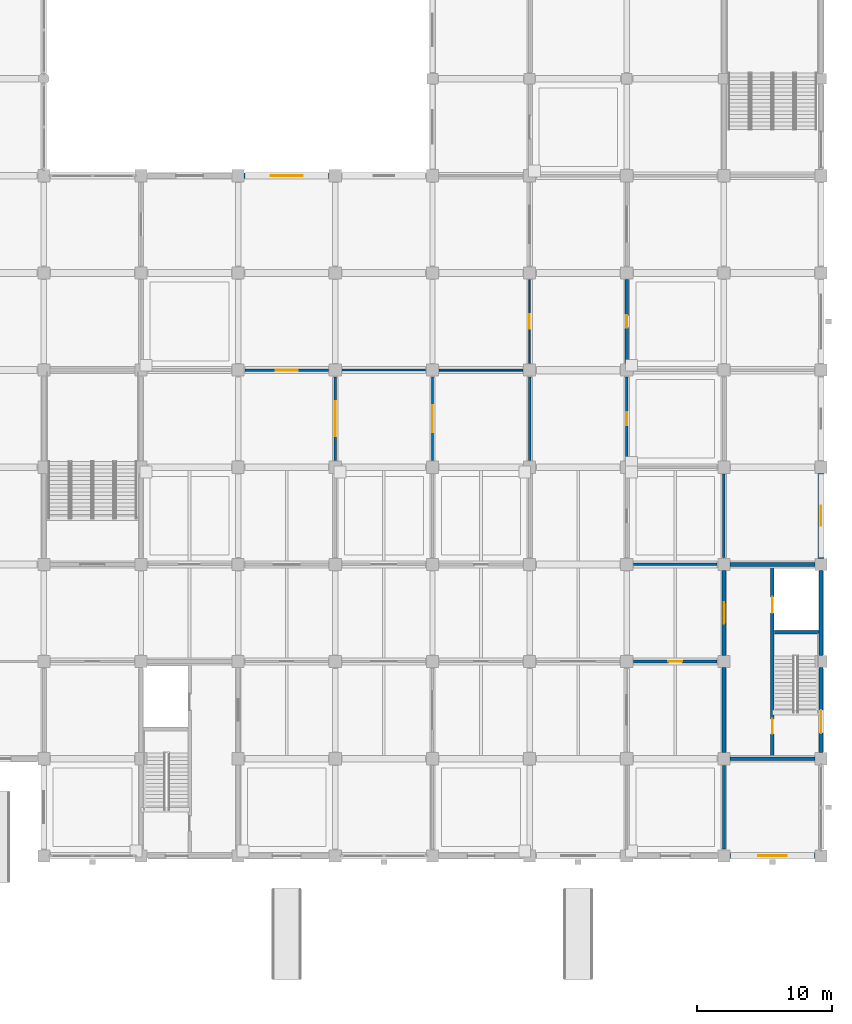
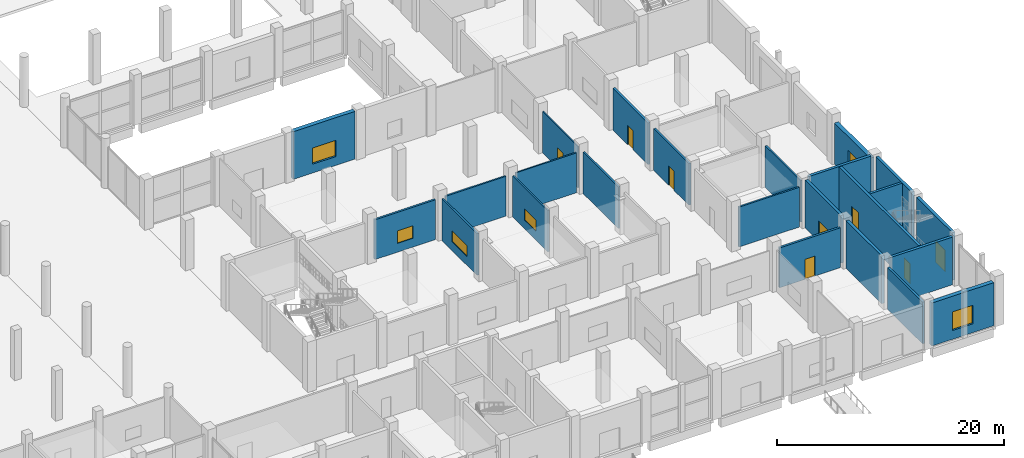
# One storey, part 51 of 70: 24 walls, 8 doors, 6 windows, 14 openings.
"""IFC4 building model written with IfcOpenShell, lengths in metres."""

from ifc_helpers import new_model, si_unit, direction, frame, frame_2d, origin, place, context, subcontext, project, spatial, rectangle, extrude, material, layer, layer_set, type_object, element, fill, save


model = new_model("IFC4")

# Units and contexts
model_context = context("Model", 3, precision=1e-05, world=origin(), true_north=direction((0.0, 1.0)))
body_context = subcontext(model_context, "Body", "Model", "MODEL_VIEW")
ifc_project = project(units=[si_unit("LENGTHUNIT", "METRE"), si_unit("AREAUNIT", "SQUARE_METRE"), si_unit("VOLUMEUNIT", "CUBIC_METRE"), si_unit("PLANEANGLEUNIT", "RADIAN"), si_unit("MASSUNIT", "GRAM", prefix="KILO")], contexts=[model_context])

# Site, building, storey
site_placement = place(None, origin())
site = spatial("IfcSite", under=ifc_project, at=site_placement, CompositionType="ELEMENT")
building_placement = place(site_placement, origin())
building = spatial("IfcBuilding", under=site, at=building_placement, Name="Vesperath Aquatics Centre", CompositionType="ELEMENT")
storey_placement = place(building_placement, origin())
storey = spatial("IfcBuildingStorey", under=building, at=storey_placement, Name="L00", CompositionType="ELEMENT", Elevation=0.0)

# Wall, opening, window
ifc_material_1 = material(Name="Liaoning grey granite ashlar insulated cavity wall", Category="masonry")
ifc_layer_1 = layer(ifc_material_1, 0.419921875)
ifc_layer_set_1 = layer_set([ifc_layer_1], Name="Liaoning grey granite ashlar insulated cavity wall")
wall_type_1 = type_object("IfcWallType", Name="WL-EW01", PredefinedType="SOLIDWALL", material=ifc_layer_set_1)
wall_1_placement = place(storey_placement, frame((166.050048828125, 0.0, 0.0), z_axis=(0.0, 0.0, 1.0), x_axis=(1.0, 0.0, 0.0)))
wall_1 = element("IfcWall", 1, at=wall_1_placement, inside=storey, type_object=wall_type_1, Name="Exterior Wall EW01 L00_S_23_00", PredefinedType="SOLIDWALL", context=body_context, shape_type="SweptSolid", body=[
    extrude(rectangle(XDim=6.300048828125, YDim=0.419921875, at=frame_2d((3.14990234375, 0.0))), origin(), (0.0, 0.0, 1.0), 4.639892578125),
])
opening_1_placement = place(wall_1_placement, frame((2.10009765625, 0.0, 0.949951171875)))
opening_1 = element("IfcOpeningElement", 2, at=opening_1_placement, cuts=wall_1, Name="Opening W06", PredefinedType="OPENING", context=body_context, shape_type="SweptSolid", body=[
    extrude(rectangle(XDim=2.10009765625, YDim=2.0, at=frame_2d((1.050048828125, 1.0))), frame((0.0, 0.224853515625, 0.0), z_axis=(0.0, -1.0, 0.0), x_axis=(1.0, 0.0, 0.0)), (0.0, 0.0, 1.0), 0.44970703125),
])
ifc_material_2 = material(Name="Thermally broken aluminium triple-glazed window", Category="aluminium")
window_type_1 = type_object("IfcWindowType", Name="WN-W06", PartitioningType="SINGLE_PANEL", PredefinedType="WINDOW", material=ifc_material_2)
window_1_placement = place(opening_1_placement, origin())
window_1 = element("IfcWindow", 3, at=window_1_placement, inside=storey, type_object=window_type_1, Name="Deep-Reveal Casement Window W06 L00_S_23_00", OverallHeight=2.0, OverallWidth=2.10009765625, PartitioningType="SINGLE_PANEL", PredefinedType="WINDOW", context=body_context, shape_type="SweptSolid", body=[
    extrude(rectangle(XDim=2.10009765625, YDim=2.0, at=frame_2d((1.050048828125, 1.0))), frame((0.0, 0.030029296875, 0.0), z_axis=(0.0, -1.0, 0.0), x_axis=(1.0, 0.0, 0.0)), (0.0, 0.0, 1.0), 0.06005859375),
])
fill(opening_1, window_1)

wall_2_placement = place(storey_placement, frame((130.050048828125, 50.39990234375, 0.0), z_axis=(0.0, 0.0, 1.0), x_axis=(1.0, 0.0, 0.0)))
wall_2 = element("IfcWall", 4, at=wall_2_placement, inside=storey, type_object=wall_type_1, Name="Exterior Wall EW01 L00_N_18_07", PredefinedType="SOLIDWALL", context=body_context, shape_type="SweptSolid", body=[
    extrude(rectangle(XDim=6.300048828125, YDim=0.419921875, at=frame_2d((3.14990234375, 0.0))), origin(), (0.0, 0.0, 1.0), 5.139892578125),
])
opening_2_placement = place(wall_2_placement, frame((1.949951171875, 0.0, 0.949951171875)))
opening_2 = element("IfcOpeningElement", 5, at=opening_2_placement, cuts=wall_2, Name="Opening W10", PredefinedType="OPENING", context=body_context, shape_type="SweptSolid", body=[
    extrude(rectangle(XDim=2.39990234375, YDim=1.75, at=frame_2d((1.199951171875, 0.875))), frame((0.0, 0.224853515625, 0.0), z_axis=(0.0, -1.0, 0.0), x_axis=(1.0, 0.0, 0.0)), (0.0, 0.0, 1.0), 0.44970703125),
])
window_type_2 = type_object("IfcWindowType", Name="WN-W10", PartitioningType="SINGLE_PANEL", PredefinedType="WINDOW", material=ifc_material_2)
window_2_placement = place(opening_2_placement, origin())
window_2 = element("IfcWindow", 6, at=window_2_placement, inside=storey, type_object=window_type_2, Name="Deep-Reveal Casement Window W10 L00_N_18_07", OverallHeight=1.75, OverallWidth=2.39990234375, PartitioningType="SINGLE_PANEL", PredefinedType="WINDOW", context=body_context, shape_type="SweptSolid", body=[
    extrude(rectangle(XDim=2.39990234375, YDim=1.75, at=frame_2d((1.199951171875, 0.875))), frame((0.0, 0.030029296875, 0.0), z_axis=(0.0, -1.0, 0.0), x_axis=(1.0, 0.0, 0.0)), (0.0, 0.0, 1.0), 0.06005859375),
])
fill(opening_2, window_2)

wall_3_placement = place(storey_placement, frame((172.800048828125, 22.050048828125, 0.0), z_axis=(0.0, 0.0, 1.0), x_axis=(0.0, 1.0, 0.0)))
wall_3 = element("IfcWall", 7, at=wall_3_placement, inside=storey, type_object=wall_type_1, Name="Exterior Wall EW01 L00_E_24_03", PredefinedType="SOLIDWALL", context=body_context, shape_type="SweptSolid", body=[
    extrude(rectangle(XDim=6.300048828125, YDim=0.419921875, at=frame_2d((3.14990234375, 0.0))), origin(), (0.0, 0.0, 1.0), 4.43994140625),
])
opening_3_placement = place(wall_3_placement, frame((2.39990234375, 0.0, 0.949951171875)))
opening_3 = element("IfcOpeningElement", 8, at=opening_3_placement, cuts=wall_3, Name="Opening W08", PredefinedType="OPENING", context=body_context, shape_type="SweptSolid", body=[
    extrude(rectangle(XDim=1.5, YDim=2.0, at=frame_2d((0.75, 1.0))), frame((0.0, 0.224853515625, 0.0), z_axis=(0.0, -1.0, 0.0), x_axis=(1.0, 0.0, 0.0)), (0.0, 0.0, 1.0), 0.44970703125),
])
window_type_3 = type_object("IfcWindowType", Name="WN-W08", PartitioningType="SINGLE_PANEL", PredefinedType="WINDOW", material=ifc_material_2)
window_3_placement = place(opening_3_placement, origin())
window_3 = element("IfcWindow", 9, at=window_3_placement, inside=storey, type_object=window_type_3, Name="Deep-Reveal Casement Window W08 L00_E_24_03", OverallHeight=2.0, OverallWidth=1.5, PartitioningType="SINGLE_PANEL", PredefinedType="WINDOW", context=body_context, shape_type="SweptSolid", body=[
    extrude(rectangle(XDim=1.5, YDim=2.0, at=frame_2d((0.75, 1.0))), frame((0.0, 0.030029296875, 0.0), z_axis=(0.0, -1.0, 0.0), x_axis=(1.0, 0.0, 0.0)), (0.0, 0.0, 1.0), 0.06005859375),
])
fill(opening_3, window_3)

# Wall, opening, door
ifc_material_3 = material(Name="Autoclaved aerated masonry blockwork", Category="masonry")
ifc_layer_2 = layer(ifc_material_3, 0.22998046875)
ifc_layer_set_2 = layer_set([ifc_layer_2], Name="Autoclaved aerated masonry blockwork")
wall_type_2 = type_object("IfcWallType", Name="WL-FW01", PredefinedType="SOLIDWALL", material=ifc_layer_set_2)
wall_4_placement = place(storey_placement, frame((158.39990234375, 36.5, 0.0), z_axis=(0.0, 0.0, 1.0), x_axis=(0.0, 1.0, 0.0)))
wall_4 = element("IfcWall", 10, at=wall_4_placement, inside=storey, type_object=wall_type_2, Name="Interior Partition FW01 L00_LOADING-W1", PredefinedType="SOLIDWALL", context=body_context, shape_type="SweptSolid", body=[
    extrude(rectangle(XDim=6.199951171875, YDim=0.22998046875, at=frame_2d((3.10009765625, 0.0))), origin(), (0.0, 0.0, 1.0), 4.489990234375),
])
opening_4_placement = place(wall_4_placement, frame((2.639892578125, 0.0, 0.0)))
opening_4 = element("IfcOpeningElement", 11, at=opening_4_placement, cuts=wall_4, Name="Opening D08", PredefinedType="OPENING", context=body_context, shape_type="SweptSolid", body=[
    extrude(rectangle(XDim=0.919921875, YDim=2.10009765625, at=frame_2d((0.4599609375, 1.050048828125))), frame((0.0, 0.1298828125, 0.0), z_axis=(0.0, -1.0, 0.0), x_axis=(1.0, 0.0, 0.0)), (0.0, 0.0, 1.0), 0.259765625),
])
ifc_material_4 = material(Name="Moisture-resistant HPL washroom door", Category="wood")
door_type_1 = type_object("IfcDoorType", Name="DR-WC03", OperationType="NOTDEFINED", PredefinedType="DOOR", material=ifc_material_4)
door_1_placement = place(opening_4_placement, frame((0.919921875, 0.0, 0.0), z_axis=(0.0, 0.0, 1.0), x_axis=(-1.0, 0.0, 0.0)))
door_1 = element("IfcDoor", 12, at=door_1_placement, inside=storey, type_object=door_type_1, Name="Enclosed Acoustic Service Loading Bay Door D08", OperationType="SINGLE_SWING_RIGHT", OverallHeight=2.10009765625, OverallWidth=0.919921875, PredefinedType="DOOR", context=body_context, shape_type="SweptSolid", body=[
    extrude(rectangle(XDim=0.919921875, YDim=2.10009765625, at=frame_2d((0.4599609375, 1.050048828125))), frame((0.0, 0.02490234375, 0.0), z_axis=(0.0, -1.0, 0.0), x_axis=(1.0, 0.0, 0.0)), (0.0, 0.0, 1.0), 0.050048828125),
])
fill(opening_4, door_1)

ifc_material_5 = material(Name="Masonry fire compartment wall", Category="masonry")
ifc_layer_3 = layer(ifc_material_5, 0.219970703125)
ifc_layer_set_3 = layer_set([ifc_layer_3], Name="Masonry fire compartment wall")
wall_type_3 = type_object("IfcWallType", Name="WL-FW02", PredefinedType="SOLIDWALL", material=ifc_layer_set_3)
wall_5_placement = place(storey_placement, frame((158.89990234375, 14.39990234375, 0.0), z_axis=(0.0, 0.0, 1.0), x_axis=(1.0, 0.0, 0.0)))
wall_5 = element("IfcWall", 13, at=wall_5_placement, inside=storey, type_object=wall_type_3, Name="Interior Partition FW02 L00_FCC-N1", PredefinedType="SOLIDWALL", context=body_context, shape_type="SweptSolid", body=[
    extrude(rectangle(XDim=6.2001953125, YDim=0.219970703125, at=frame_2d((3.10009765625, 0.0))), origin(), (0.0, 0.0, 1.0), 4.2900390625),
])
opening_5_placement = place(wall_5_placement, frame((2.590087890625, 0.0, 0.0)))
opening_5 = element("IfcOpeningElement", 14, at=opening_5_placement, cuts=wall_5, Name="Opening D19", PredefinedType="OPENING", context=body_context, shape_type="SweptSolid", body=[
    extrude(rectangle(XDim=1.02001953125, YDim=2.14990234375, at=frame_2d((0.510009765625, 1.074951171875))), frame((0.0, 0.125, 0.0), z_axis=(0.0, -1.0, 0.0), x_axis=(1.0, 0.0, 0.0)), (0.0, 0.0, 1.0), 0.249755859375),
])
ifc_material_6 = material(Name="Fire command centre rated steel door", Category="steel")
door_type_2 = type_object("IfcDoorType", Name="DR-RM11", OperationType="NOTDEFINED", PredefinedType="DOOR", material=ifc_material_6)
door_2_placement = place(opening_5_placement, frame((1.02001953125, 0.0, 0.0), z_axis=(0.0, 0.0, 1.0), x_axis=(-1.0, 0.0, 0.0)))
door_2 = element("IfcDoor", 15, at=door_2_placement, inside=storey, type_object=door_type_2, Name="Fire Command Centre Door D19", OperationType="SINGLE_SWING_LEFT", OverallHeight=2.14990234375, OverallWidth=1.02001953125, PredefinedType="DOOR", context=body_context, shape_type="SweptSolid", body=[
    extrude(rectangle(XDim=1.02001953125, YDim=2.14990234375, at=frame_2d((0.510009765625, 1.074951171875))), frame((0.0, 0.02490234375, 0.0), z_axis=(0.0, -1.0, 0.0), x_axis=(1.0, 0.0, 0.0)), (0.0, 0.0, 1.0), 0.050048828125),
])
fill(opening_5, door_2)

# Wall
wall_6_placement = place(storey_placement, frame((165.60009765625, 0.5, 0.0), z_axis=(0.0, 0.0, 1.0), x_axis=(0.0, 1.0, 0.0)))
element("IfcWall", 16, at=wall_6_placement, inside=storey, type_object=wall_type_3, Name="Interior Partition FW02 L00_FCC-E1", PredefinedType="SOLIDWALL", context=body_context, shape_type="SweptSolid", body=[
    extrude(rectangle(XDim=6.199951171875, YDim=0.219970703125, at=frame_2d((3.10009765625, 0.0))), origin(), (0.0, 0.0, 1.0), 4.489990234375),
])

# Wall, opening, window
ifc_material_7 = material(Name="Wet-village masonry block wall", Category="masonry")
ifc_layer_4 = layer(ifc_material_7, 0.199951171875)
ifc_layer_set_4 = layer_set([ifc_layer_4], Name="Wet-village masonry block wall")
wall_type_4 = type_object("IfcWallType", Name="WL-FW03", PredefinedType="SOLIDWALL", material=ifc_layer_set_4)
wall_7_placement = place(storey_placement, frame((130.10009765625, 36.0, 0.0), z_axis=(0.0, 0.0, 1.0), x_axis=(1.0, 0.0, 0.0)))
wall_7 = element("IfcWall", 17, at=wall_7_placement, inside=storey, type_object=wall_type_4, Name="Interior Partition FW03 L00_KITCH-N2", PredefinedType="SOLIDWALL", context=body_context, shape_type="SweptSolid", body=[
    extrude(rectangle(XDim=6.199951171875, YDim=0.199951171875, at=frame_2d((3.10009765625, 0.0))), origin(), (0.0, 0.0, 1.0), 4.2900390625),
])
opening_6_placement = place(wall_7_placement, frame((2.300048828125, 0.0, 0.949951171875)))
opening_6 = element("IfcOpeningElement", 18, at=opening_6_placement, cuts=wall_7, Name="Opening VW09", PredefinedType="OPENING", context=body_context, shape_type="SweptSolid", body=[
    extrude(rectangle(XDim=1.60009765625, YDim=1.35009765625, at=frame_2d((0.800048828125, 0.675048828125))), frame((0.0, 0.11474609375, 0.0), z_axis=(0.0, -1.0, 0.0), x_axis=(1.0, 0.0, 0.0)), (0.0, 0.0, 1.0), 0.229736328125),
])
ifc_material_8 = material(Name="Acoustic laminated interior viewing glazing", Category="glass")
window_type_4 = type_object("IfcWindowType", Name="WN-IW09", PartitioningType="SINGLE_PANEL", PredefinedType="WINDOW", material=ifc_material_8)
window_4_placement = place(opening_6_placement, origin())
window_4 = element("IfcWindow", 19, at=window_4_placement, inside=storey, type_object=window_type_4, Name="Interior Viewing Window VW09 L00_KITCH", OverallHeight=1.35009765625, OverallWidth=1.60009765625, PartitioningType="SINGLE_PANEL", PredefinedType="WINDOW", context=body_context, shape_type="SweptSolid", body=[
    extrude(rectangle(XDim=1.60009765625, YDim=1.35009765625, at=frame_2d((0.800048828125, 0.675048828125))), frame((0.0, 0.030029296875, 0.0), z_axis=(0.0, -1.0, 0.0), x_axis=(1.0, 0.0, 0.0)), (0.0, 0.0, 1.0), 0.06005859375),
])
fill(opening_6, window_4)

# Wall, opening, door
wall_8_placement = place(storey_placement, frame((158.39990234375, 29.300048828125, 0.0), z_axis=(0.0, 0.0, 1.0), x_axis=(0.0, 1.0, 0.0)))
wall_8 = element("IfcWall", 20, at=wall_8_placement, inside=storey, type_object=wall_type_4, Name="Interior Partition FW03 L00_FWC-W1", PredefinedType="SOLIDWALL", context=body_context, shape_type="SweptSolid", body=[
    extrude(rectangle(XDim=6.199951171875, YDim=0.199951171875, at=frame_2d((3.10009765625, 0.0))), origin(), (0.0, 0.0, 1.0), 4.489990234375),
])
opening_7_placement = place(wall_8_placement, frame((2.625, 0.0, 0.0)))
opening_7 = element("IfcOpeningElement", 21, at=opening_7_placement, cuts=wall_8, Name="Opening D07", PredefinedType="OPENING", context=body_context, shape_type="SweptSolid", body=[
    extrude(rectangle(XDim=0.949951171875, YDim=2.10009765625, at=frame_2d((0.47509765625, 1.050048828125))), frame((0.0, 0.11474609375, 0.0), z_axis=(0.0, -1.0, 0.0), x_axis=(1.0, 0.0, 0.0)), (0.0, 0.0, 1.0), 0.229736328125),
])
ifc_material_9 = material(Name="Moisture-resistant HPL sanitary door", Category="wood")
door_type_3 = type_object("IfcDoorType", Name="DR-WC02", OperationType="NOTDEFINED", PredefinedType="DOOR", material=ifc_material_9)
door_3_placement = place(opening_7_placement, frame((0.949951171875, 0.0, 0.0), z_axis=(0.0, 0.0, 1.0), x_axis=(-1.0, 0.0, 0.0)))
door_3 = element("IfcDoor", 22, at=door_3_placement, inside=storey, type_object=door_type_3, Name="Public Female WC L00 Door D07", OperationType="SINGLE_SWING_RIGHT", OverallHeight=2.10009765625, OverallWidth=0.949951171875, PredefinedType="DOOR", context=body_context, shape_type="SweptSolid", body=[
    extrude(rectangle(XDim=0.949951171875, YDim=2.10009765625, at=frame_2d((0.47509765625, 1.050048828125))), frame((0.0, 0.02490234375, 0.0), z_axis=(0.0, -1.0, 0.0), x_axis=(1.0, 0.0, 0.0)), (0.0, 0.0, 1.0), 0.050048828125),
])
fill(opening_7, door_3)

# Wall, opening, window
ifc_material_10 = material(Name="Double-stud acoustic studio partition", Category="gypsum")
ifc_layer_5 = layer(ifc_material_10, 0.18505859375)
ifc_layer_set_5 = layer_set([ifc_layer_5], Name="Double-stud acoustic studio partition")
wall_type_5 = type_object("IfcWallType", Name="WL-IW01", PredefinedType="PARTITIONING", material=ifc_layer_set_5)
wall_9_placement = place(storey_placement, frame((136.800048828125, 29.300048828125, 0.0), z_axis=(0.0, 0.0, 1.0), x_axis=(0.0, 1.0, 0.0)))
wall_9 = element("IfcWall", 23, at=wall_9_placement, inside=storey, type_object=wall_type_5, Name="Interior Partition IW01 L00_KITCH-E2", PredefinedType="PARTITIONING", context=body_context, shape_type="SweptSolid", body=[
    extrude(rectangle(XDim=6.199951171875, YDim=0.18505859375, at=frame_2d((3.10009765625, 0.0))), origin(), (0.0, 0.0, 1.0), 4.489990234375),
])
opening_8_placement = place(wall_9_placement, frame((1.800048828125, 0.0, 0.949951171875)))
opening_8 = element("IfcOpeningElement", 24, at=opening_8_placement, cuts=wall_9, Name="Opening VW10", PredefinedType="OPENING", context=body_context, shape_type="SweptSolid", body=[
    extrude(rectangle(XDim=2.60009765625, YDim=1.199951171875, at=frame_2d((1.300048828125, 0.60009765625))), frame((0.0, 0.107421875, 0.0), z_axis=(0.0, -1.0, 0.0), x_axis=(1.0, 0.0, 0.0)), (0.0, 0.0, 1.0), 0.21484375),
])
window_type_5 = type_object("IfcWindowType", Name="WN-IW10", PartitioningType="SINGLE_PANEL", PredefinedType="WINDOW", material=ifc_material_8)
window_5_placement = place(opening_8_placement, origin())
window_5 = element("IfcWindow", 25, at=window_5_placement, inside=storey, type_object=window_type_5, Name="Interior Viewing Window VW10 L00_KITCH", OverallHeight=1.199951171875, OverallWidth=2.60009765625, PartitioningType="SINGLE_PANEL", PredefinedType="WINDOW", context=body_context, shape_type="SweptSolid", body=[
    extrude(rectangle(XDim=2.60009765625, YDim=1.199951171875, at=frame_2d((1.300048828125, 0.60009765625))), frame((0.0, 0.030029296875, 0.0), z_axis=(0.0, -1.0, 0.0), x_axis=(1.0, 0.0, 0.0)), (0.0, 0.0, 1.0), 0.06005859375),
])
fill(opening_8, window_5)

# Walls
ifc_material_11 = material(Name="Moisture-resistant tiled wet partition", Category="gypsum")
ifc_layer_6 = layer(ifc_material_11, 0.175048828125)
ifc_layer_set_6 = layer_set([ifc_layer_6], Name="Moisture-resistant tiled wet partition")
wall_type_6 = type_object("IfcWallType", Name="WL-IW02", PredefinedType="PARTITIONING", material=ifc_layer_set_6)
wall_10_placement = place(storey_placement, frame((158.89990234375, 21.60009765625, 0.0), z_axis=(0.0, 0.0, 1.0), x_axis=(1.0, 0.0, 0.0)))
element("IfcWall", 26, at=wall_10_placement, inside=storey, type_object=wall_type_6, Name="Interior Partition IW02 L00_MWC-S1", PredefinedType="PARTITIONING", context=body_context, shape_type="SweptSolid", body=[
    extrude(rectangle(XDim=6.2001953125, YDim=0.175048828125, at=frame_2d((3.10009765625, 0.0))), origin(), (0.0, 0.0, 1.0), 4.2900390625),
])
for number, where, z_axis, x_axis, name in (
    (27, (165.60009765625, 22.10009765625, 0.0), (0.0, 0.0, 1.0), (0.0, 1.0, 0.0), "Interior Partition IW02 L00_MWC-E1"),
    (28, (151.199951171875, 29.300048828125, 0.0), (0.0, 0.0, 1.0), (0.0, 1.0, 0.0), "Interior Partition IW02 L00_AWC-E2"),
):
    element("IfcWall", number, at=place(storey_placement, frame(where, z_axis=z_axis, x_axis=x_axis)), inside=storey, type_object=wall_type_6, Name=name, PredefinedType="PARTITIONING", context=body_context, shape_type="SweptSolid", body=[
        extrude(rectangle(XDim=6.199951171875, YDim=0.175048828125, at=frame_2d((3.10009765625, 0.0))), origin(), (0.0, 0.0, 1.0), 4.489990234375),
    ])
ifc_material_12 = material(Name="Corridor fire-rated gypsum partition", Category="gypsum")
ifc_layer_7 = layer(ifc_material_12, 0.16796875)
ifc_layer_set_7 = layer_set([ifc_layer_7], Name="Corridor fire-rated gypsum partition")
wall_type_7 = type_object("IfcWallType", Name="WL-IW03", PredefinedType="PARTITIONING", material=ifc_layer_set_7)
wall_11_placement = place(storey_placement, frame((137.300048828125, 36.0, 0.0), z_axis=(0.0, 0.0, 1.0), x_axis=(1.0, 0.0, 0.0)))
element("IfcWall", 29, at=wall_11_placement, inside=storey, type_object=wall_type_7, Name="Interior Partition IW03 L00_CLUB_REC-N1", PredefinedType="PARTITIONING", context=body_context, shape_type="SweptSolid", body=[
    extrude(rectangle(XDim=6.199951171875, YDim=0.16796875, at=frame_2d((3.10009765625, 0.0))), origin(), (0.0, 0.0, 1.0), 4.2900390625),
])

# Wall, opening, window
ifc_material_13 = material(Name="Laboratory clean partition", Category="gypsum")
ifc_layer_8 = layer(ifc_material_13, 0.152099609375)
ifc_layer_set_8 = layer_set([ifc_layer_8], Name="Laboratory clean partition")
wall_type_8 = type_object("IfcWallType", Name="WL-IW05", PredefinedType="PARTITIONING", material=ifc_layer_set_8)
wall_12_placement = place(storey_placement, frame((144.0, 29.300048828125, 0.0), z_axis=(0.0, 0.0, 1.0), x_axis=(0.0, 1.0, 0.0)))
wall_12 = element("IfcWall", 30, at=wall_12_placement, inside=storey, type_object=wall_type_8, Name="Interior Partition IW05 L00_CLUB_REC-E2", PredefinedType="PARTITIONING", context=body_context, shape_type="SweptSolid", body=[
    extrude(rectangle(XDim=6.199951171875, YDim=0.152099609375, at=frame_2d((3.10009765625, 0.0))), origin(), (0.0, 0.0, 1.0), 4.43994140625),
])
opening_9_placement = place(wall_12_placement, frame((2.10009765625, 0.0, 0.949951171875)))
opening_9 = element("IfcOpeningElement", 31, at=opening_9_placement, cuts=wall_12, Name="Opening VW11", PredefinedType="OPENING", context=body_context, shape_type="SweptSolid", body=[
    extrude(rectangle(XDim=2.0, YDim=1.199951171875, at=frame_2d((1.0, 0.60009765625))), frame((0.0, 0.0908203125, 0.0), z_axis=(0.0, -1.0, 0.0), x_axis=(1.0, 0.0, 0.0)), (0.0, 0.0, 1.0), 0.181884765625),
])
window_type_6 = type_object("IfcWindowType", Name="WN-IW11", PartitioningType="SINGLE_PANEL", PredefinedType="WINDOW", material=ifc_material_8)
window_6_placement = place(opening_9_placement, origin())
window_6 = element("IfcWindow", 32, at=window_6_placement, inside=storey, type_object=window_type_6, Name="Interior Viewing Window VW11 L00_CLUB_REC", OverallHeight=1.199951171875, OverallWidth=2.0, PartitioningType="SINGLE_PANEL", PredefinedType="WINDOW", context=body_context, shape_type="SweptSolid", body=[
    extrude(rectangle(XDim=2.0, YDim=1.199951171875, at=frame_2d((1.0, 0.60009765625))), frame((0.0, 0.030029296875, 0.0), z_axis=(0.0, -1.0, 0.0), x_axis=(1.0, 0.0, 0.0)), (0.0, 0.0, 1.0), 0.06005859375),
])
fill(opening_9, window_6)

# Wall
ifc_material_14 = material(Name="Classroom acoustic partition", Category="gypsum")
ifc_layer_9 = layer(ifc_material_14, 0.14501953125)
ifc_layer_set_9 = layer_set([ifc_layer_9], Name="Classroom acoustic partition")
wall_type_9 = type_object("IfcWallType", Name="WL-IW06", PredefinedType="PARTITIONING", material=ifc_layer_set_9)
wall_13_placement = place(storey_placement, frame((144.5, 36.0, 0.0), z_axis=(0.0, 0.0, 1.0), x_axis=(1.0, 0.0, 0.0)))
element("IfcWall", 33, at=wall_13_placement, inside=storey, type_object=wall_type_9, Name="Interior Partition IW06 L00_COMMUNITY-S1", PredefinedType="PARTITIONING", context=body_context, shape_type="SweptSolid", body=[
    extrude(rectangle(XDim=6.199951171875, YDim=0.14501953125, at=frame_2d((3.10009765625, 0.0))), origin(), (0.0, 0.0, 1.0), 4.2900390625),
])

# Wall, opening, door
ifc_material_15 = material(Name="Store dry-lined partition", Category="gypsum")
ifc_layer_10 = layer(ifc_material_15, 0.114990234375)
ifc_layer_set_10 = layer_set([ifc_layer_10], Name="Store dry-lined partition")
wall_type_10 = type_object("IfcWallType", Name="WL-IW10", PredefinedType="PARTITIONING", material=ifc_layer_set_10)
wall_14_placement = place(storey_placement, frame((151.199951171875, 36.5, 0.0), z_axis=(0.0, 0.0, 1.0), x_axis=(0.0, 1.0, 0.0)))
wall_14 = element("IfcWall", 34, at=wall_14_placement, inside=storey, type_object=wall_type_10, Name="Interior Partition IW10 L00_COMMUNITY-E1", PredefinedType="PARTITIONING", context=body_context, shape_type="SweptSolid", body=[
    extrude(rectangle(XDim=6.199951171875, YDim=0.114990234375, at=frame_2d((3.10009765625, 0.0))), origin(), (0.0, 0.0, 1.0), 4.489990234375),
])
opening_10_placement = place(wall_14_placement, frame((2.574951171875, 0.0, 0.0)))
opening_10 = element("IfcOpeningElement", 35, at=opening_10_placement, cuts=wall_14, Name="Opening D04", PredefinedType="OPENING", context=body_context, shape_type="SweptSolid", body=[
    extrude(rectangle(XDim=1.050048828125, YDim=2.14990234375, at=frame_2d((0.52490234375, 1.074951171875))), frame((0.0, 0.072265625, 0.0), z_axis=(0.0, -1.0, 0.0), x_axis=(1.0, 0.0, 0.0)), (0.0, 0.0, 1.0), 0.144775390625),
])
ifc_material_16 = material(Name="Plant room heavy steel fire door", Category="steel")
door_type_4 = type_object("IfcDoorType", Name="DR-FD04", OperationType="NOTDEFINED", PredefinedType="DOOR", material=ifc_material_16)
door_4_placement = place(opening_10_placement, origin())
door_4 = element("IfcDoor", 36, at=door_4_placement, inside=storey, type_object=door_type_4, Name="Community Water-Safety Exhibition Room Door D04", OperationType="SINGLE_SWING_RIGHT", OverallHeight=2.14990234375, OverallWidth=1.050048828125, PredefinedType="DOOR", context=body_context, shape_type="SweptSolid", body=[
    extrude(rectangle(XDim=1.050048828125, YDim=2.14990234375, at=frame_2d((0.52490234375, 1.074951171875))), frame((0.0, 0.02490234375, 0.0), z_axis=(0.0, -1.0, 0.0), x_axis=(1.0, 0.0, 0.0)), (0.0, 0.0, 1.0), 0.050048828125),
])
fill(opening_10, door_4)

# Walls
ifc_material_17 = material(Name="Concrete C40", Category="concrete")
ifc_layer_11 = layer(ifc_material_17, 0.280029296875)
ifc_layer_set_11 = layer_set([ifc_layer_11], Name="Concrete C40")
wall_type_11 = type_object("IfcWallType", Name="WL-SW02", PredefinedType="SHEAR", material=ifc_layer_set_11)
for number, where, z_axis, x_axis, name in (
    (37, (166.050048828125, 7.199951171875, 0.0), (0.0, 0.0, 1.0), (1.0, 0.0, 0.0), "Core C6 South Shear Wall SW02 L00"),
    (38, (166.050048828125, 21.60009765625, 0.0), (0.0, 0.0, 1.0), (1.0, 0.0, 0.0), "Core C6 North Shear Wall SW02 L00"),
    (39, (165.60009765625, 7.64990234375, 0.0), (0.0, 0.0, 1.0), (0.0, 1.0, 0.0), "Core C6 West-1 Shear Wall SW02 L00"),
):
    element("IfcWall", number, at=place(storey_placement, frame(where, z_axis=z_axis, x_axis=x_axis)), inside=storey, type_object=wall_type_11, Name=name, PredefinedType="SHEAR", context=body_context, shape_type="SweptSolid", body=[
        extrude(rectangle(XDim=6.300048828125, YDim=0.280029296875, at=frame_2d((3.14990234375, 0.0))), origin(), (0.0, 0.0, 1.0), 5.139892578125),
    ])

# Wall, opening, door
wall_15_placement = place(storey_placement, frame((165.60009765625, 14.85009765625, 0.0), z_axis=(0.0, 0.0, 1.0), x_axis=(0.0, 1.0, 0.0)))
wall_15 = element("IfcWall", 40, at=wall_15_placement, inside=storey, type_object=wall_type_11, Name="Core C6 West-2 Shear Wall SW02 L00", PredefinedType="SHEAR", context=body_context, shape_type="SweptSolid", body=[
    extrude(rectangle(XDim=6.2998046875, YDim=0.280029296875, at=frame_2d((3.14990234375, 0.0))), origin(), (0.0, 0.0, 1.0), 5.139892578125),
])
opening_11_placement = place(wall_15_placement, frame((2.35009765625, 0.0, 0.0)))
opening_11 = element("IfcOpeningElement", 41, at=opening_11_placement, cuts=wall_15, Name="Opening D02", PredefinedType="OPENING", context=body_context, shape_type="SweptSolid", body=[
    extrude(rectangle(XDim=1.60009765625, YDim=2.199951171875, at=frame_2d((0.800048828125, 1.10009765625))), frame((0.0, 0.15478515625, 0.0), z_axis=(0.0, -1.0, 0.0), x_axis=(1.0, 0.0, 0.0)), (0.0, 0.0, 1.0), 0.309814453125),
])
ifc_material_18 = material(Name="Glazed fire-rated lobby double door", Category="steel")
door_type_5 = type_object("IfcDoorType", Name="DR-FD02", OperationType="DOUBLE_SWING_LEFT", PredefinedType="DOOR", material=ifc_material_18)
door_5_placement = place(opening_11_placement, origin())
door_5 = element("IfcDoor", 42, at=door_5_placement, inside=storey, type_object=door_type_5, Name="Core C6 Lobby Fire Door D02 L00", OperationType="DOUBLE_SWING_LEFT", OverallHeight=2.199951171875, OverallWidth=1.60009765625, PredefinedType="DOOR", context=body_context, shape_type="SweptSolid", body=[
    extrude(rectangle(XDim=1.60009765625, YDim=2.199951171875, at=frame_2d((0.800048828125, 1.10009765625))), frame((0.0, 0.02490234375, 0.0), z_axis=(0.0, -1.0, 0.0), x_axis=(1.0, 0.0, 0.0)), (0.0, 0.0, 1.0), 0.050048828125),
])
fill(opening_11, door_5)

# Wall, openings, doors
ifc_layer_12 = layer(ifc_material_17, 0.260009765625)
ifc_layer_set_12 = layer_set([ifc_layer_12], Name="Concrete C40")
wall_type_12 = type_object("IfcWallType", Name="WL-SW03", PredefinedType="SHEAR", material=ifc_layer_set_12)
wall_16_placement = place(storey_placement, frame((169.199951171875, 7.39990234375, 0.0), z_axis=(0.0, 0.0, 1.0), x_axis=(0.0, 1.0, 0.0)))
wall_16 = element("IfcWall", 43, at=wall_16_placement, inside=storey, type_object=wall_type_12, Name="Core C6 Spine Shear Wall SW03 L00", PredefinedType="SHEAR", context=body_context, shape_type="SweptSolid", body=[
    extrude(rectangle(XDim=14.0, YDim=0.260009765625, at=frame_2d((7.0, 0.0))), origin(), (0.0, 0.0, 1.0), 5.139892578125),
])
opening_12_placement = place(wall_16_placement, frame((1.64990234375, 0.0, 0.0)))
opening_12 = element("IfcOpeningElement", 44, at=opening_12_placement, cuts=wall_16, Name="Opening D01", PredefinedType="OPENING", context=body_context, shape_type="SweptSolid", body=[
    extrude(rectangle(XDim=1.10009765625, YDim=2.14990234375, at=frame_2d((0.550048828125, 1.074951171875))), frame((0.0, 0.14501953125, 0.0), z_axis=(0.0, -1.0, 0.0), x_axis=(1.0, 0.0, 0.0)), (0.0, 0.0, 1.0), 0.289794921875),
])
opening_13_placement = place(wall_16_placement, frame((10.60009765625, 0.0, 0.0)))
opening_13 = element("IfcOpeningElement", 45, at=opening_13_placement, cuts=wall_16, Name="Opening LD03", PredefinedType="OPENING", context=body_context, shape_type="SweptSolid", body=[
    extrude(rectangle(XDim=1.199951171875, YDim=2.25, at=frame_2d((0.60009765625, 1.125))), frame((0.0, 0.14501953125, 0.0), z_axis=(0.0, -1.0, 0.0), x_axis=(1.0, 0.0, 0.0)), (0.0, 0.0, 1.0), 0.289794921875),
])
ifc_material_19 = material(Name="Steel-faced acoustic fire door", Category="steel")
door_type_6 = type_object("IfcDoorType", Name="DR-FD01", OperationType="NOTDEFINED", PredefinedType="DOOR", material=ifc_material_19)
door_6_placement = place(opening_12_placement, frame((1.10009765625, 0.0, 0.0), z_axis=(0.0, 0.0, 1.0), x_axis=(-1.0, 0.0, 0.0)))
door_6 = element("IfcDoor", 46, at=door_6_placement, inside=storey, type_object=door_type_6, Name="Stair ST6 Fire Door D01 L00", OperationType="SINGLE_SWING_RIGHT", OverallHeight=2.14990234375, OverallWidth=1.10009765625, PredefinedType="DOOR", context=body_context, shape_type="SweptSolid", body=[
    extrude(rectangle(XDim=1.10009765625, YDim=2.14990234375, at=frame_2d((0.550048828125, 1.074951171875))), frame((0.0, 0.02490234375, 0.0), z_axis=(0.0, -1.0, 0.0), x_axis=(1.0, 0.0, 0.0)), (0.0, 0.0, 1.0), 0.050048828125),
])
fill(opening_12, door_6)
ifc_material_20 = material(Name="Firefighting stainless lift landing door", Category="steel")
door_type_7 = type_object("IfcDoorType", Name="DR-LD03", OperationType="SLIDING_TO_LEFT", PredefinedType="DOOR", material=ifc_material_20)
door_7_placement = place(opening_13_placement, origin())
door_7 = element("IfcDoor", 47, at=door_7_placement, inside=storey, type_object=door_type_7, Name="Lift LFT-FF2 Sliding Landing Door LD03 L00", OperationType="SLIDING_TO_LEFT", OverallHeight=2.25, OverallWidth=1.199951171875, PredefinedType="DOOR", context=body_context, shape_type="SweptSolid", body=[
    extrude(rectangle(XDim=1.199951171875, YDim=2.25, at=frame_2d((0.60009765625, 1.125))), frame((0.0, 0.02490234375, 0.0), z_axis=(0.0, -1.0, 0.0), x_axis=(1.0, 0.0, 0.0)), (0.0, 0.0, 1.0), 0.050048828125),
])
fill(opening_13, door_7)

# Wall
ifc_layer_13 = layer(ifc_material_17, 0.25)
ifc_layer_set_13 = layer_set([ifc_layer_13], Name="Concrete C40")
wall_type_13 = type_object("IfcWallType", Name="WL-SW04", PredefinedType="SHEAR", material=ifc_layer_set_13)
wall_17_placement = place(storey_placement, frame((169.340087890625, 16.580078125, 0.0), z_axis=(0.0, 0.0, 1.0), x_axis=(1.0, 0.0, 0.0)))
element("IfcWall", 48, at=wall_17_placement, inside=storey, type_object=wall_type_13, Name="Core C6 Lift Shaft Wall SW04 L00", PredefinedType="SHEAR", context=body_context, shape_type="SweptSolid", body=[
    extrude(rectangle(XDim=3.2998046875, YDim=0.25, at=frame_2d((1.64990234375, 0.0))), origin(), (0.0, 0.0, 1.0), 5.139892578125),
])

# Wall, opening, door
ifc_layer_14 = layer(ifc_material_17, 0.2900390625)
ifc_layer_set_14 = layer_set([ifc_layer_14], Name="Concrete C40")
wall_type_14 = type_object("IfcWallType", Name="WL-SW06", PredefinedType="SHEAR", material=ifc_layer_set_14)
wall_18_placement = place(storey_placement, frame((172.800048828125, 7.64990234375, 0.0), z_axis=(0.0, 0.0, 1.0), x_axis=(0.0, 1.0, 0.0)))
wall_18 = element("IfcWall", 49, at=wall_18_placement, inside=storey, type_object=wall_type_14, Name="Core C6 East-1 Shear Wall SW06 L00", PredefinedType="SHEAR", context=body_context, shape_type="SweptSolid", body=[
    extrude(rectangle(XDim=6.300048828125, YDim=0.2900390625, at=frame_2d((3.14990234375, 0.0))), origin(), (0.0, 0.0, 1.0), 5.139892578125),
])
opening_14_placement = place(wall_18_placement, frame((1.449951171875, 0.0, 0.0)))
opening_14 = element("IfcOpeningElement", 50, at=opening_14_placement, cuts=wall_18, Name="Opening EX04", PredefinedType="OPENING", context=body_context, shape_type="SweptSolid", body=[
    extrude(rectangle(XDim=1.699951171875, YDim=2.300048828125, at=frame_2d((0.85009765625, 1.14990234375))), frame((0.0, 0.159912109375, 0.0), z_axis=(0.0, -1.0, 0.0), x_axis=(1.0, 0.0, 0.0)), (0.0, 0.0, 1.0), 0.31982421875),
])
ifc_material_21 = material(Name="Thermally broken bronze-anodised glazed aluminium door", Category="aluminium")
door_type_8 = type_object("IfcDoorType", Name="DR-EX04", OperationType="DOUBLE_SWING_LEFT", PredefinedType="DOOR", material=ifc_material_21)
door_8_placement = place(opening_14_placement, frame((1.699951171875, 0.0, 0.0), z_axis=(0.0, 0.0, 1.0), x_axis=(-1.0, 0.0, 0.0)))
door_8 = element("IfcDoor", 51, at=door_8_placement, inside=storey, type_object=door_type_8, Name="Stair ST6 Direct Grade Exit Door EX04", OperationType="DOUBLE_SWING_LEFT", OverallHeight=2.300048828125, OverallWidth=1.699951171875, PredefinedType="DOOR", context=body_context, shape_type="SweptSolid", body=[
    extrude(rectangle(XDim=1.699951171875, YDim=2.300048828125, at=frame_2d((0.85009765625, 1.14990234375))), frame((0.0, 0.02490234375, 0.0), z_axis=(0.0, -1.0, 0.0), x_axis=(1.0, 0.0, 0.0)), (0.0, 0.0, 1.0), 0.050048828125),
])
fill(opening_14, door_8)

# Wall
wall_19_placement = place(storey_placement, frame((172.800048828125, 14.85009765625, 0.0), z_axis=(0.0, 0.0, 1.0), x_axis=(0.0, 1.0, 0.0)))
element("IfcWall", 52, at=wall_19_placement, inside=storey, type_object=wall_type_14, Name="Core C6 East-2 Shear Wall SW06 L00", PredefinedType="SHEAR", context=body_context, shape_type="SweptSolid", body=[
    extrude(rectangle(XDim=6.2998046875, YDim=0.2900390625, at=frame_2d((3.14990234375, 0.0))), origin(), (0.0, 0.0, 1.0), 5.139892578125),
])

save(model, "model.ifc")
